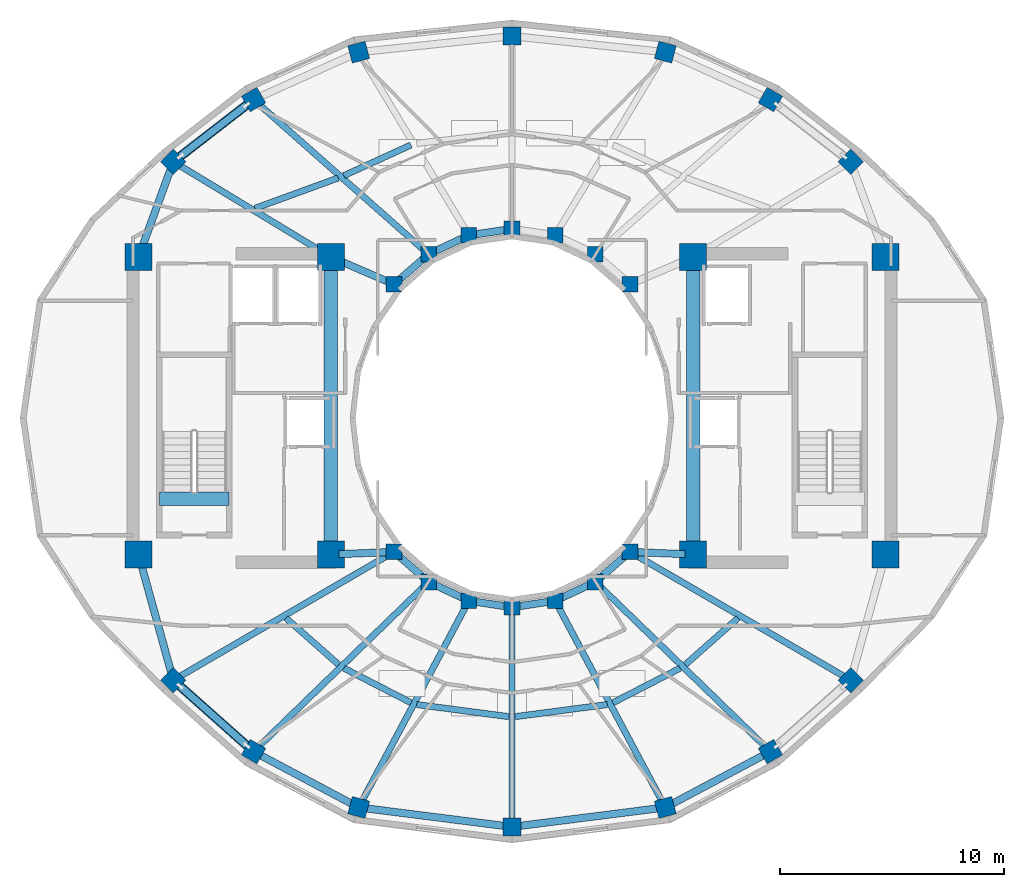
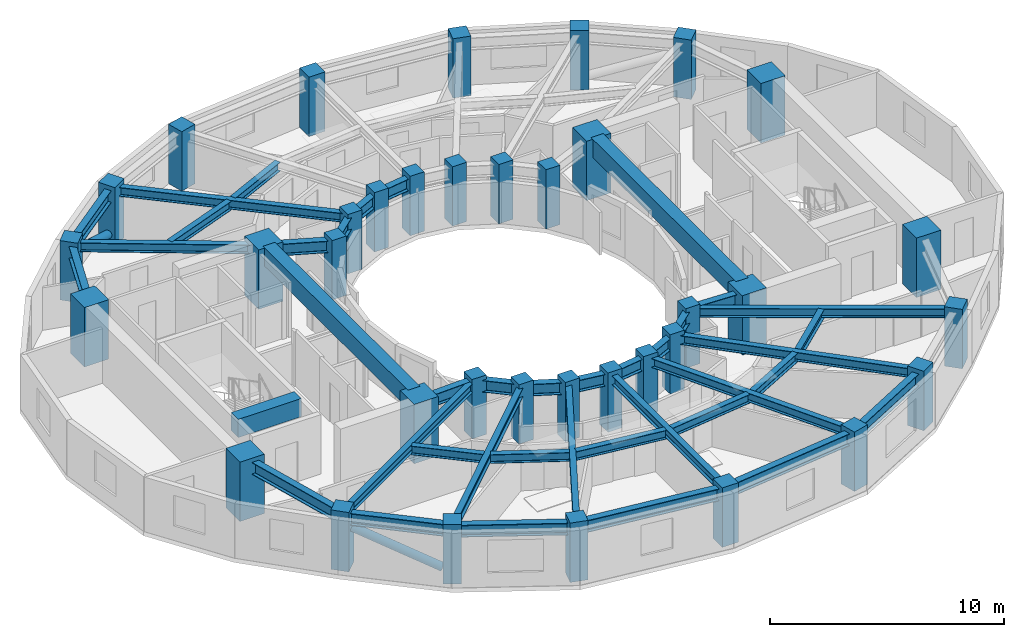
# One storey, part 1 of 9: 40 beams, 36 columns, 2 members.
"""IFC4 building model written with IfcOpenShell, lengths in metres."""

import ifcopenshell
import ifcopenshell.guid

model = None  # the IFC model being written
_history = None  # IfcOwnerHistory: only IFC2X3 demands one
_inside = {}  # id of a spatial element -> (the spatial element, [elements in it])
_under = {}  # id of a project, library or spatial element -> (it, [spatial elements below it])
_declared = {}  # id of a project -> (the project, [libraries it declares])
_typed = {}  # id of a type object -> (the type object, [elements of that type])
_made_of = {}  # id of a material, layer set ... -> (it, [elements and type objects made of it])


def new_model(schema):
    """Start an empty IFC model of exactly this schema.

    Asked for "IFC4X3", IfcOpenShell would pick the latest addendum, in which some entities
    have other attributes; the version numbers below select the first issue.
    IFC2X3 requires an IfcOwnerHistory on every rooted entity: one is made here for all.
    """
    global model, _history
    if schema == "IFC4X3":
        model = ifcopenshell.file(schema_version=(4, 3, 0, 0))
    else:
        model = ifcopenshell.file(schema=schema)
    _inside.clear()
    _under.clear()
    _declared.clear()
    _typed.clear()
    _made_of.clear()
    _history = None
    if model.schema == "IFC2X3":
        org = make("IfcOrganization", Name="unknown")
        user = make(
            "IfcPersonAndOrganization",
            ThePerson=make("IfcPerson", FamilyName="unknown"),
            TheOrganization=org,
        )
        app = make(
            "IfcApplication",
            ApplicationDeveloper=org,
            Version="unknown",
            ApplicationFullName="unknown",
            ApplicationIdentifier="unknown",
        )
        _history = make(
            "IfcOwnerHistory",
            OwningUser=user,
            OwningApplication=app,
            ChangeAction="ADDED",
            CreationDate=0,
        )
    return model


def make(cls, **values):
    """One entity of the class cls with the attributes given. An attribute that is None is left unset."""
    return model.create_entity(
        cls, **{name: value for name, value in values.items() if value is not None}
    )


def rooted(cls, **values):
    """An entity with a GlobalId (a new one), such as an element, a storey or a relation."""
    return make(cls, GlobalId=ifcopenshell.guid.new(), OwnerHistory=_history, **values)


def si_unit(unit_type, name, prefix=None):
    """IfcSIUnit, for example si_unit("LENGTHUNIT", "METRE", prefix="MILLI")."""
    return make("IfcSIUnit", UnitType=unit_type, Prefix=prefix, Name=name)


def assignment(units):
    """IfcUnitAssignment: the units of a project."""
    return None if units is None else make("IfcUnitAssignment", Units=units)


def point(xyz):
    """IfcCartesianPoint."""
    return None if xyz is None else make("IfcCartesianPoint", Coordinates=xyz)


def direction(xyz):
    """IfcDirection."""
    return None if xyz is None else make("IfcDirection", DirectionRatios=xyz)


def frame(location, z_axis=None, x_axis=None):
    """IfcAxis2Placement3D, a coordinate frame: its origin and axes. An axis left out is left unset."""
    return make(
        "IfcAxis2Placement3D",
        Location=point(location),
        Axis=direction(z_axis),
        RefDirection=direction(x_axis),
    )


def frame_2d(location, x_axis=None):
    """IfcAxis2Placement2D, a coordinate frame in the plane: its origin and x axis."""
    return make(
        "IfcAxis2Placement2D", Location=point(location), RefDirection=direction(x_axis)
    )


def origin():
    """The frame at (0, 0, 0) with its axes left unset."""
    return frame((0.0, 0.0, 0.0))


def origin_2d():
    """The frame at (0, 0) in the plane with its x axis left unset."""
    return frame_2d((0.0, 0.0))


def place(relative_to, where):
    """IfcLocalPlacement: puts the frame where relative to a parent placement (None: the world)."""
    return make(
        "IfcLocalPlacement", PlacementRelTo=relative_to, RelativePlacement=where
    )


def context(
    kind, dimensions, precision=None, world=None, true_north=None, identifier=None
):
    """IfcGeometricRepresentationContext, for example the 3D "Model" context."""
    return make(
        "IfcGeometricRepresentationContext",
        ContextIdentifier=identifier,
        ContextType=kind,
        CoordinateSpaceDimension=dimensions,
        Precision=precision,
        WorldCoordinateSystem=world,
        TrueNorth=true_north,
    )


def subcontext(parent, identifier, kind, view, scale=None):
    """IfcGeometricRepresentationSubContext, for example "Body" below "Model"."""
    return make(
        "IfcGeometricRepresentationSubContext",
        ContextIdentifier=identifier,
        ContextType=kind,
        ParentContext=parent,
        TargetScale=scale,
        TargetView=view,
    )


def project(units=None, contexts=None):
    """IfcProject with its units and contexts."""
    return rooted(
        "IfcProject",
        Name="project",
        RepresentationContexts=contexts,
        UnitsInContext=assignment(units),
    )


def spatial(cls, under=None, at=None, **own):
    """A site, building, storey or space (cls), placed at a placement, below another one or the project."""
    s = rooted(cls, ObjectPlacement=at, **own)
    if under is not None:
        _under.setdefault(under.id(), (under, []))[1].append(s)
    return s


def profile(cls, at=None, kind="AREA", **sizes):
    """A parametric profile (cls). Its sizes go by their IFC names, for example OverallWidth=200.0."""
    return make(cls, ProfileType=kind, Position=at, **sizes)


def rectangle(**sizes):
    """IfcRectangleProfileDef."""
    return profile("IfcRectangleProfileDef", **sizes)


def hollow_circle(**sizes):
    """IfcCircleHollowProfileDef."""
    return profile("IfcCircleHollowProfileDef", **sizes)


def i_section(**sizes):
    """IfcIShapeProfileDef."""
    return profile("IfcIShapeProfileDef", **sizes)


def extrude(swept, where, along, depth):
    """IfcExtrudedAreaSolid: the profile swept, set in the frame where, extruded along a direction by depth."""
    return make(
        "IfcExtrudedAreaSolid",
        SweptArea=swept,
        Position=where,
        ExtrudedDirection=direction(along),
        Depth=depth,
    )


def shape(context_of_items, identifier, shape_type, items):
    """IfcShapeRepresentation: the items that make up one representation, for example the "Body"."""
    return make(
        "IfcShapeRepresentation",
        ContextOfItems=context_of_items,
        RepresentationIdentifier=identifier,
        RepresentationType=shape_type,
        Items=items,
    )


def material(Name=None, Category=None):
    """IfcMaterial."""
    return make("IfcMaterial", Name=Name, Category=Category)


def material_profile(
    of_material, cross_section, Name=None, Category=None, Priority=None
):
    """IfcMaterialProfile: a cross section and its material."""
    return make(
        "IfcMaterialProfile",
        Name=Name,
        Material=of_material,
        Profile=cross_section,
        Priority=Priority,
        Category=Category,
    )


def profile_set(profiles, Name=None, composite=None):
    """IfcMaterialProfileSet."""
    return make(
        "IfcMaterialProfileSet",
        Name=Name,
        MaterialProfiles=profiles,
        CompositeProfile=composite,
    )


def made_of(thing, what):
    """Note that an element or type object is made of a material, layer set ...; save() writes the relation."""
    if what is not None:
        _made_of.setdefault(what.id(), (what, []))[1].append(thing)
    return thing


def type_object(cls, material=None, **own):
    """A type object (cls), such as IfcWallType, which elements share."""
    return made_of(rooted(cls, **own), material)


def element(
    cls,
    number,
    at=None,
    inside=None,
    cuts=None,
    type_object=None,
    material=None,
    context=None,
    identifier="Body",
    shape_type=None,
    held_by="IfcProductDefinitionShape",
    body=None,
    shapes=None,
    **own,
):
    """One element of the class cls, such as IfcWall. Its Tag is "e" and its number.

    at: its placement. inside: the storey or other place that contains it. cuts: it is an
    opening in that element (IfcRelVoidsElement). A single representation is given by context,
    identifier, shape_type and body (its items); several are given by shapes. held_by: the class
    of the entity that holds the representations. save() writes the other relations.
    """
    e = rooted(cls, Tag="e%d" % number, ObjectPlacement=at, **own)
    if body is not None:
        shapes = [shape(context, identifier, shape_type, body)]
    if shapes is not None:
        e.Representation = make(held_by, Representations=shapes)
    if inside is not None:
        _inside.setdefault(inside.id(), (inside, []))[1].append(e)
    if cuts is not None:
        rooted(
            "IfcRelVoidsElement", RelatingBuildingElement=cuts, RelatedOpeningElement=e
        )
    if type_object is not None:
        _typed.setdefault(type_object.id(), (type_object, []))[1].append(e)
    return made_of(e, material)


def aggregate(whole, parts):
    """IfcRelAggregates: a whole, such as a stair, and the parts it consists of."""
    return rooted("IfcRelAggregates", RelatingObject=whole, RelatedObjects=parts)


def save(model, path):
    """Write the relations noted so far, then the file.

    IfcRelAggregates (storeys below a building ...), IfcRelContainedInSpatialStructure (elements
    in a storey), IfcRelDefinesByType, IfcRelAssociatesMaterial and IfcRelDeclares: one each for
    every whole, place, type object, material and project.
    """
    for whole, parts in _under.values():
        aggregate(whole, parts)
    for where, things in _inside.values():
        rooted(
            "IfcRelContainedInSpatialStructure",
            RelatedElements=things,
            RelatingStructure=where,
        )
    for kind, things in _typed.values():
        rooted("IfcRelDefinesByType", RelatedObjects=things, RelatingType=kind)
    for what, things in _made_of.values():
        rooted("IfcRelAssociatesMaterial", RelatedObjects=things, RelatingMaterial=what)
    for by, libraries in _declared.values():
        rooted("IfcRelDeclares", RelatingContext=by, RelatedDefinitions=libraries)
    model.write(path)


model = new_model("IFC4")

# Units and contexts
model_context = context("Model", 3, precision=1e-05, world=origin(), true_north=direction((0.0, 1.0)))
body_context = subcontext(model_context, "Body", "Model", "MODEL_VIEW")
ifc_project = project(units=[si_unit("LENGTHUNIT", "METRE"), si_unit("AREAUNIT", "SQUARE_METRE"), si_unit("VOLUMEUNIT", "CUBIC_METRE"), si_unit("PLANEANGLEUNIT", "RADIAN"), si_unit("MASSUNIT", "GRAM", prefix="KILO")], contexts=[model_context])

# Site, building, storey
site_placement = place(None, origin())
site = spatial("IfcSite", under=ifc_project, at=site_placement, CompositionType="ELEMENT")
building_placement = place(site_placement, origin())
building = spatial("IfcBuilding", under=site, at=building_placement, Name="Solvane Sanctuary Tower", CompositionType="ELEMENT")
storey_placement = place(building_placement, frame((0.0, 0.0, 232.60009765625)))
storey = spatial("IfcBuildingStorey", under=building, at=storey_placement, Name="L71", CompositionType="ELEMENT", Elevation=232.60009765625)

# Columns
ifc_material_1 = material(Name="Concrete C50/60", Category="concrete")
ifc_material_profile_1 = material_profile(ifc_material_1, rectangle(XDim=0.699951171875, YDim=0.699951171875, at=origin_2d()), Name="RC700X700")
ifc_profile_set_1 = profile_set([ifc_material_profile_1], Name="Concrete C50/60")
column_type_1 = type_object("IfcColumnType", Name="Column C-RING-Z4 RC700X700", PredefinedType="COLUMN", material=ifc_profile_set_1)
for number, where, z_axis, x_axis, name in (
    (1, (37.27490234375, 28.982177734375, 0.0), (0.0, 0.0, 1.0), (1.0, 0.0, 0.0), "L71 Inner Light-Well Ring Column IC01"),
    (2, (35.72998046875, 30.32666015625, 0.0), (0.0, 0.0, 1.0), (1.0, 0.0, 0.0), "L71 Inner Light-Well Ring Column IC02"),
    (3, (33.930908203125, 31.171630859375, 0.0), (0.0, 0.0, 1.0), (1.0, 0.0, 0.0), "L71 Inner Light-Well Ring Column IC03"),
    (4, (32.0, 31.4599609375, 0.0), (0.0, 0.0, 1.0), (1.0, 0.0, 0.0), "L71 Inner Light-Well Ring Column IC04"),
    (5, (30.069091796875, 31.171630859375, 0.0), (0.0, 0.0, 1.0), (1.0, 0.0, 0.0), "L71 Inner Light-Well Ring Column IC05"),
    (6, (28.27001953125, 30.32666015625, 0.0), (0.0, 0.0, 1.0), (1.0, 0.0, 0.0), "L71 Inner Light-Well Ring Column IC06"),
    (7, (26.72509765625, 28.982177734375, 0.0), (0.0, 0.0, 1.0), (1.0, 0.0, 0.0), "L71 Inner Light-Well Ring Column IC07"),
    (8, (26.72509765625, 17.017822265625, 0.0), (0.0, 0.0, 1.0), (1.0, 0.0, 0.0), "L71 Inner Light-Well Ring Column IC08"),
    (9, (28.27001953125, 15.67333984375, 0.0), (0.0, 0.0, 1.0), (1.0, 0.0, 0.0), "L71 Inner Light-Well Ring Column IC09"),
    (10, (30.069091796875, 14.828369140625, 0.0), (0.0, 0.0, 1.0), (1.0, 0.0, 0.0), "L71 Inner Light-Well Ring Column IC10"),
    (11, (32.0, 14.5400390625, 0.0), (0.0, 0.0, 1.0), (1.0, 0.0, 0.0), "L71 Inner Light-Well Ring Column IC11"),
    (12, (33.930908203125, 14.828369140625, 0.0), (0.0, 0.0, 1.0), (1.0, 0.0, 0.0), "L71 Inner Light-Well Ring Column IC12"),
    (13, (35.72998046875, 15.67333984375, 0.0), (0.0, 0.0, 1.0), (1.0, 0.0, 0.0), "L71 Inner Light-Well Ring Column IC13"),
    (14, (37.27490234375, 17.017822265625, 0.0), (0.0, 0.0, 1.0), (1.0, 0.0, 0.0), "L71 Inner Light-Well Ring Column IC14"),
):
    element("IfcColumn", number, at=place(storey_placement, frame(where, z_axis=z_axis, x_axis=x_axis)), inside=storey, type_object=column_type_1, Name=name, PredefinedType="COLUMN", context=body_context, shape_type="SweptSolid", body=[
        extrude(rectangle(XDim=0.699951171875, YDim=0.699951171875, at=origin_2d()), origin(), (0.0, 0.0, 1.0), 3.099853515625),
    ])
ifc_material_2 = material(Name="Concrete C70/85", Category="concrete")
ifc_material_profile_2 = material_profile(ifc_material_2, rectangle(XDim=1.199951171875, YDim=1.199951171875, at=origin_2d()), Name="RC1200X1200")
ifc_profile_set_2 = profile_set([ifc_material_profile_2], Name="Concrete C70/85")
column_type_2 = type_object("IfcColumnType", Name="Column C-TUBE-Z1 RC1200X1200", PredefinedType="COLUMN", material=ifc_profile_set_2)
for number, where, z_axis, x_axis, name in (
    (15, (15.300048828125, 16.89990234375, 0.0), (0.0, 0.0, 1.0), (1.0, 0.0, 0.0), "L71 Core Corner Column CW1"),
    (16, (23.89990234375, 16.89990234375, 0.0), (0.0, 0.0, 1.0), (1.0, 0.0, 0.0), "L71 Core Corner Column CW2"),
    (17, (23.89990234375, 30.199951171875, 0.0), (0.0, 0.0, 1.0), (1.0, 0.0, 0.0), "L71 Core Corner Column CW3"),
    (18, (15.300048828125, 30.199951171875, 0.0), (0.0, 0.0, 1.0), (1.0, 0.0, 0.0), "L71 Core Corner Column CW4"),
    (19, (40.10009765625, 16.89990234375, 0.0), (0.0, 0.0, 1.0), (1.0, 0.0, 0.0), "L71 Core Corner Column CE1"),
    (20, (48.699951171875, 16.89990234375, 0.0), (0.0, 0.0, 1.0), (1.0, 0.0, 0.0), "L71 Core Corner Column CE2"),
    (21, (48.699951171875, 30.199951171875, 0.0), (0.0, 0.0, 1.0), (1.0, 0.0, 0.0), "L71 Core Corner Column CE3"),
    (22, (40.10009765625, 30.199951171875, 0.0), (0.0, 0.0, 1.0), (1.0, 0.0, 0.0), "L71 Core Corner Column CE4"),
):
    element("IfcColumn", number, at=place(storey_placement, frame(where, z_axis=z_axis, x_axis=x_axis)), inside=storey, type_object=column_type_2, Name=name, PredefinedType="COLUMN", context=body_context, shape_type="SweptSolid", body=[
        extrude(rectangle(XDim=1.199951171875, YDim=1.199951171875, at=origin_2d()), origin(), (0.0, 0.0, 1.0), 3.099853515625),
    ])
ifc_material_profile_3 = material_profile(ifc_material_1, rectangle(XDim=0.800048828125, YDim=0.800048828125, at=origin_2d()), Name="RC800X800")
ifc_profile_set_3 = profile_set([ifc_material_profile_3], Name="Concrete C50/60")
column_type_3 = type_object("IfcColumnType", Name="Column C-TUBE-Z4 RC800X800", PredefinedType="COLUMN", material=ifc_profile_set_3)
for number, where, z_axis, x_axis, name in (
    (23, (47.14501953125, 34.461669921875, 0.0), (0.0, 0.0, 1.0), (0.707106781187, 0.707106781187, 0.0), "L71 Perimeter Tube Column TC01"),
    (24, (43.55517578125, 37.241455078125, 0.0), (0.0, 0.0, 1.0), (0.5, 0.866025403784, 0.0), "L71 Perimeter Tube Column TC02"),
    (25, (38.856201171875, 39.3623046875, 0.0), (0.0, 0.0, 1.0), (0.258819045103, 0.965925826289, 0.0), "L71 Perimeter Tube Column TC03"),
    (26, (32.0, 40.080078125, 0.0), (0.0, 0.0, 1.0), (0.0, 1.0, 0.0), "L71 Perimeter Tube Column TC04"),
    (27, (25.143798828125, 39.3623046875, 0.0), (0.0, 0.0, 1.0), (-0.258819045103, 0.965925826289, 0.0), "L71 Perimeter Tube Column TC05"),
    (28, (20.44482421875, 37.241455078125, 0.0), (0.0, 0.0, 1.0), (-0.5, 0.866025403784, 0.0), "L71 Perimeter Tube Column TC06"),
    (29, (16.85498046875, 34.461669921875, 0.0), (0.0, 0.0, 1.0), (-0.707106781187, 0.707106781187, 0.0), "L71 Perimeter Tube Column TC07"),
    (30, (16.85498046875, 11.279052734375, 0.0), (0.0, 0.0, 1.0), (-0.707106781187, -0.707106781187, 0.0), "L71 Perimeter Tube Column TC08"),
    (31, (20.44482421875, 8.086181640625, 0.0), (0.0, 0.0, 1.0), (-0.5, -0.866025403784, 0.0), "L71 Perimeter Tube Column TC09"),
    (32, (25.143798828125, 5.588623046875, 0.0), (0.0, 0.0, 1.0), (-0.258819045103, -0.965925826289, 0.0), "L71 Perimeter Tube Column TC10"),
    (33, (32.0, 4.719970703125, 0.0), (0.0, 0.0, 1.0), (0.0, -1.0, 0.0), "L71 Perimeter Tube Column TC11"),
    (34, (38.856201171875, 5.588623046875, 0.0), (0.0, 0.0, 1.0), (0.258819045103, -0.965925826289, 0.0), "L71 Perimeter Tube Column TC12"),
    (35, (43.55517578125, 8.086181640625, 0.0), (0.0, 0.0, 1.0), (0.5, -0.866025403784, 0.0), "L71 Perimeter Tube Column TC13"),
    (36, (47.14501953125, 11.279052734375, 0.0), (0.0, 0.0, 1.0), (0.707106781187, -0.707106781187, 0.0), "L71 Perimeter Tube Column TC14"),
):
    element("IfcColumn", number, at=place(storey_placement, frame(where, z_axis=z_axis, x_axis=x_axis)), inside=storey, type_object=column_type_3, Name=name, PredefinedType="COLUMN", context=body_context, shape_type="SweptSolid", body=[
        extrude(rectangle(XDim=0.800048828125, YDim=0.800048828125, at=origin_2d()), origin(), (0.0, 0.0, 1.0), 3.099853515625),
    ])

# Beams
ifc_material_profile_4 = material_profile(ifc_material_2, rectangle(XDim=0.60009765625, YDim=0.949951171875, at=origin_2d()), Name="RC600X950")
ifc_profile_set_4 = profile_set([ifc_material_profile_4], Name="Concrete C70/85")
beam_type_1 = type_object("IfcBeamType", Name="Beam B-COUPLE RC600X950", PredefinedType="LINTEL", material=ifc_profile_set_4)
for number, where, z_axis, x_axis, name in (
    (37, (23.89990234375, 17.35009765625, 2.625), (0.0, 1.0, 0.0), (-1.0, 0.0, 0.0), "L71 West Core Coupling Lintel"),
    (38, (40.10009765625, 17.35009765625, 2.625), (0.0, 1.0, 0.0), (-1.0, 0.0, 0.0), "L71 East Core Coupling Lintel"),
):
    element("IfcBeam", number, at=place(storey_placement, frame(where, z_axis=z_axis, x_axis=x_axis)), inside=storey, type_object=beam_type_1, Name=name, PredefinedType="LINTEL", context=body_context, shape_type="SweptSolid", body=[
        extrude(rectangle(XDim=0.60009765625, YDim=0.949951171875, at=origin_2d()), origin(), (0.0, 0.0, 1.0), 12.39990234375),
    ])
beam_1_placement = place(storey_placement, frame((16.22998046875, 19.399169921875, 2.625), z_axis=(1.0, 0.0, 0.0), x_axis=(0.0, 1.0, 0.0)))
element("IfcBeam", 39, at=beam_1_placement, inside=storey, type_object=beam_type_1, Name="L71 ST-1 Stair Floor Landing Trimmer", PredefinedType="LINTEL", context=body_context, shape_type="SweptSolid", body=[
    extrude(rectangle(XDim=0.60009765625, YDim=0.949951171875, at=origin_2d()), origin(), (0.0, 0.0, 1.0), 3.1201171875),
])
ifc_material_3 = material(Name="Steel ASTM A992 Grade 50", Category="steel")
ifc_material_profile_5 = material_profile(ifc_material_3, i_section(OverallWidth=0.282958984375, OverallDepth=0.471923828125, WebThickness=0.013671875, FlangeThickness=0.022216796875, FilletRadius=0.013916015625, at=origin_2d()), Name="W18X97")
ifc_profile_set_5 = profile_set([ifc_material_profile_5], Name="Steel ASTM A992 Grade 50")
beam_type_2 = type_object("IfcBeamType", Name="Beam B-RAD-Z4 W18X97", PredefinedType="JOIST", material=ifc_profile_set_5)
beam_2_placement = place(storey_placement, frame((28.060302734375, 30.511962890625, 2.641845703125), z_axis=(-0.749352461353, 0.662171343886, 0.0), x_axis=(-0.662171343886, -0.749352461353, 0.0)))
element("IfcBeam", 40, at=beam_2_placement, inside=storey, type_object=beam_type_2, Name="L71 Radial Composite Floor Beam 06", PredefinedType="JOIST", context=body_context, shape_type="SweptSolid", body=[
    extrude(i_section(OverallWidth=0.282958984375, OverallDepth=0.471923828125, WebThickness=0.013671875, FlangeThickness=0.022216796875, FilletRadius=0.013916015625, at=origin_2d()), origin(), (0.0, 0.0, 1.0), 9.882568359375),
])
beam_3_placement = place(storey_placement, frame((23.592041015625, 30.38623046875, 2.641845703125), z_axis=(-0.855612120123, 0.517617522789, 0.0), x_axis=(-0.517617522789, -0.855612120123, 0.0)))
element("IfcBeam", 41, at=beam_3_placement, inside=storey, type_object=beam_type_2, Name="L71 Radial Composite Floor Beam 07", PredefinedType="JOIST", context=body_context, shape_type="SweptSolid", body=[
    extrude(i_section(OverallWidth=0.282958984375, OverallDepth=0.471923828125, WebThickness=0.013671875, FlangeThickness=0.022216796875, FilletRadius=0.013916015625, at=origin_2d()), origin(), (0.0, 0.0, 1.0), 7.59375),
])
beam_4_placement = place(storey_placement, frame((26.48291015625, 16.877197265625, 2.641845703125), z_axis=(-0.864489234729, -0.502651333469, 0.0), x_axis=(0.502651333469, -0.864489234729, 0.0)))
element("IfcBeam", 42, at=beam_4_placement, inside=storey, type_object=beam_type_2, Name="L71 Radial Composite Floor Beam 08", PredefinedType="JOIST", context=body_context, shape_type="SweptSolid", body=[
    extrude(i_section(OverallWidth=0.282958984375, OverallDepth=0.471923828125, WebThickness=0.013671875, FlangeThickness=0.022216796875, FilletRadius=0.013916015625, at=origin_2d()), origin(), (0.0, 0.0, 1.0), 10.85693359375),
])
beam_5_placement = place(storey_placement, frame((28.069091796875, 15.478515625, 2.641845703125), z_axis=(-0.717931503288, -0.69611375262, 0.0), x_axis=(0.69611375262, -0.717931503288, 0.0)))
element("IfcBeam", 43, at=beam_5_placement, inside=storey, type_object=beam_type_2, Name="L71 Radial Composite Floor Beam 09", PredefinedType="JOIST", context=body_context, shape_type="SweptSolid", body=[
    extrude(i_section(OverallWidth=0.282958984375, OverallDepth=0.471923828125, WebThickness=0.013671875, FlangeThickness=0.022216796875, FilletRadius=0.013916015625, at=origin_2d()), origin(), (0.0, 0.0, 1.0), 10.339599609375),
])
beam_6_placement = place(storey_placement, frame((29.9375, 14.581298828125, 2.641845703125), z_axis=(-0.470395154587, -0.882455890422, 0.0), x_axis=(0.882455890422, -0.470395154587, 0.0)))
element("IfcBeam", 44, at=beam_6_placement, inside=storey, type_object=beam_type_2, Name="L71 Radial Composite Floor Beam 10", PredefinedType="JOIST", context=body_context, shape_type="SweptSolid", body=[
    extrude(i_section(OverallWidth=0.282958984375, OverallDepth=0.471923828125, WebThickness=0.013671875, FlangeThickness=0.022216796875, FilletRadius=0.013916015625, at=origin_2d()), origin(), (0.0, 0.0, 1.0), 9.91064453125),
])
beam_7_placement = place(storey_placement, frame((32.0, 14.260009765625, 2.641845703125), z_axis=(0.0, -1.0, 0.0), x_axis=(1.0, 0.0, 0.0)))
element("IfcBeam", 45, at=beam_7_placement, inside=storey, type_object=beam_type_2, Name="L71 Radial Composite Floor Beam 11", PredefinedType="JOIST", context=body_context, shape_type="SweptSolid", body=[
    extrude(i_section(OverallWidth=0.282958984375, OverallDepth=0.471923828125, WebThickness=0.013671875, FlangeThickness=0.022216796875, FilletRadius=0.013916015625, at=origin_2d()), origin(), (0.0, 0.0, 1.0), 9.260009765625),
])
beam_8_placement = place(storey_placement, frame((34.0625, 14.581298828125, 2.641845703125), z_axis=(0.470395154587, -0.882455890422, 0.0), x_axis=(0.882455890422, 0.470395154587, 0.0)))
element("IfcBeam", 46, at=beam_8_placement, inside=storey, type_object=beam_type_2, Name="L71 Radial Composite Floor Beam 12", PredefinedType="JOIST", context=body_context, shape_type="SweptSolid", body=[
    extrude(i_section(OverallWidth=0.282958984375, OverallDepth=0.471923828125, WebThickness=0.013671875, FlangeThickness=0.022216796875, FilletRadius=0.013916015625, at=origin_2d()), origin(), (0.0, 0.0, 1.0), 9.91064453125),
])
beam_9_placement = place(storey_placement, frame((35.930908203125, 15.478515625, 2.641845703125), z_axis=(0.717931503288, -0.69611375262, 0.0), x_axis=(0.69611375262, 0.717931503288, 0.0)))
element("IfcBeam", 47, at=beam_9_placement, inside=storey, type_object=beam_type_2, Name="L71 Radial Composite Floor Beam 13", PredefinedType="JOIST", context=body_context, shape_type="SweptSolid", body=[
    extrude(i_section(OverallWidth=0.282958984375, OverallDepth=0.471923828125, WebThickness=0.013671875, FlangeThickness=0.022216796875, FilletRadius=0.013916015625, at=origin_2d()), origin(), (0.0, 0.0, 1.0), 10.339599609375),
])
beam_10_placement = place(storey_placement, frame((37.51708984375, 16.877197265625, 2.641845703125), z_axis=(0.864489234729, -0.502651333469, 0.0), x_axis=(0.502651333469, 0.864489234729, 0.0)))
element("IfcBeam", 48, at=beam_10_placement, inside=storey, type_object=beam_type_2, Name="L71 Radial Composite Floor Beam 14", PredefinedType="JOIST", context=body_context, shape_type="SweptSolid", body=[
    extrude(i_section(OverallWidth=0.282958984375, OverallDepth=0.471923828125, WebThickness=0.013671875, FlangeThickness=0.022216796875, FilletRadius=0.013916015625, at=origin_2d()), origin(), (0.0, 0.0, 1.0), 10.85693359375),
])
ifc_material_profile_6 = material_profile(ifc_material_3, i_section(OverallWidth=0.324951171875, OverallDepth=0.615966796875, WebThickness=0.013916015625, FlangeThickness=0.021484375, FilletRadius=0.01611328125, at=origin_2d()), Name="W24X117")
ifc_profile_set_6 = profile_set([ifc_material_profile_6], Name="Steel ASTM A992 Grade 50")
beam_type_3 = type_object("IfcBeamType", Name="Beam B-RING-IN2 W24X117", PredefinedType="BEAM", material=ifc_profile_set_6)
beam_11_placement = place(storey_placement, frame((24.230712890625, 30.0576171875, 2.56982421875), z_axis=(0.918283854026, -0.395922673554, 0.0), x_axis=(0.395922673554, 0.918283854026, 0.0)))
element("IfcBeam", 49, at=beam_11_placement, inside=storey, type_object=beam_type_3, Name="L71 Inner Light-Well Ring Beam CW3-IC07", PredefinedType="BEAM", context=body_context, shape_type="SweptSolid", body=[
    extrude(i_section(OverallWidth=0.324951171875, OverallDepth=0.615966796875, WebThickness=0.013916015625, FlangeThickness=0.021484375, FilletRadius=0.01611328125, at=origin_2d()), origin(), (0.0, 0.0, 1.0), 2.396240234375),
])
beam_12_placement = place(storey_placement, frame((26.96630859375, 29.192138671875, 2.56982421875), z_axis=(0.754388985763, 0.656427648839, 0.0), x_axis=(-0.656427648839, 0.754388985763, 0.0)))
element("IfcBeam", 50, at=beam_12_placement, inside=storey, type_object=beam_type_3, Name="L71 Inner Light-Well Ring Beam IC07-IC06", PredefinedType="BEAM", context=body_context, shape_type="SweptSolid", body=[
    extrude(i_section(OverallWidth=0.324951171875, OverallDepth=0.615966796875, WebThickness=0.013916015625, FlangeThickness=0.021484375, FilletRadius=0.01611328125, at=origin_2d()), origin(), (0.0, 0.0, 1.0), 1.408203125),
])
beam_13_placement = place(storey_placement, frame((28.5595703125, 30.462646484375, 2.56982421875), z_axis=(0.905134542189, 0.425125229241, 0.0), x_axis=(-0.425125229241, 0.905134542189, 0.0)))
element("IfcBeam", 51, at=beam_13_placement, inside=storey, type_object=beam_type_3, Name="L71 Inner Light-Well Ring Beam IC06-IC05", PredefinedType="BEAM", context=body_context, shape_type="SweptSolid", body=[
    extrude(i_section(OverallWidth=0.324951171875, OverallDepth=0.615966796875, WebThickness=0.013916015625, FlangeThickness=0.021484375, FilletRadius=0.01611328125, at=origin_2d()), origin(), (0.0, 0.0, 1.0), 1.347900390625),
])
beam_14_placement = place(storey_placement, frame((30.3857421875, 31.218994140625, 2.56982421875), z_axis=(0.989056121481, 0.147539786368, 0.0), x_axis=(-0.147539786368, 0.989056121481, 0.0)))
element("IfcBeam", 52, at=beam_14_placement, inside=storey, type_object=beam_type_3, Name="L71 Inner Light-Well Ring Beam IC05-IC04", PredefinedType="BEAM", context=body_context, shape_type="SweptSolid", body=[
    extrude(i_section(OverallWidth=0.324951171875, OverallDepth=0.615966796875, WebThickness=0.013916015625, FlangeThickness=0.021484375, FilletRadius=0.01611328125, at=origin_2d()), origin(), (0.0, 0.0, 1.0), 1.312255859375),
])
beam_15_placement = place(storey_placement, frame((24.259765625, 16.9150390625, 2.56982421875), z_axis=(0.999129127803, 0.041725124022, 0.0), x_axis=(-0.041725124022, 0.999129127803, 0.0)))
element("IfcBeam", 53, at=beam_15_placement, inside=storey, type_object=beam_type_3, Name="L71 Inner Light-Well Ring Beam CW2-IC08", PredefinedType="BEAM", context=body_context, shape_type="SweptSolid", body=[
    extrude(i_section(OverallWidth=0.324951171875, OverallDepth=0.615966796875, WebThickness=0.013916015625, FlangeThickness=0.021484375, FilletRadius=0.01611328125, at=origin_2d()), origin(), (0.0, 0.0, 1.0), 2.1474609375),
])
beam_16_placement = place(storey_placement, frame((26.96630859375, 16.807861328125, 2.56982421875), z_axis=(0.754388985763, -0.656427648839, 0.0), x_axis=(0.656427648839, 0.754388985763, 0.0)))
element("IfcBeam", 54, at=beam_16_placement, inside=storey, type_object=beam_type_3, Name="L71 Inner Light-Well Ring Beam IC08-IC09", PredefinedType="BEAM", context=body_context, shape_type="SweptSolid", body=[
    extrude(i_section(OverallWidth=0.324951171875, OverallDepth=0.615966796875, WebThickness=0.013916015625, FlangeThickness=0.021484375, FilletRadius=0.01611328125, at=origin_2d()), origin(), (0.0, 0.0, 1.0), 1.408203125),
])
beam_17_placement = place(storey_placement, frame((28.5595703125, 15.537353515625, 2.56982421875), z_axis=(0.905134542189, -0.425125229241, 0.0), x_axis=(0.425125229241, 0.905134542189, 0.0)))
element("IfcBeam", 55, at=beam_17_placement, inside=storey, type_object=beam_type_3, Name="L71 Inner Light-Well Ring Beam IC09-IC10", PredefinedType="BEAM", context=body_context, shape_type="SweptSolid", body=[
    extrude(i_section(OverallWidth=0.324951171875, OverallDepth=0.615966796875, WebThickness=0.013916015625, FlangeThickness=0.021484375, FilletRadius=0.01611328125, at=origin_2d()), origin(), (0.0, 0.0, 1.0), 1.347900390625),
])
for number, where, z_axis, x_axis, name in (
    (56, (30.3857421875, 14.781005859375, 2.56982421875), (0.989056121481, -0.147539786368, 0.0), (0.147539786368, 0.989056121481, 0.0), "L71 Inner Light-Well Ring Beam IC10-IC11"),
    (57, (32.31640625, 14.58740234375, 2.56982421875), (0.989056121481, 0.147539786368, 0.0), (-0.147539786368, 0.989056121481, 0.0), "L71 Inner Light-Well Ring Beam IC11-IC12"),
):
    element("IfcBeam", number, at=place(storey_placement, frame(where, z_axis=z_axis, x_axis=x_axis)), inside=storey, type_object=beam_type_3, Name=name, PredefinedType="BEAM", context=body_context, shape_type="SweptSolid", body=[
        extrude(i_section(OverallWidth=0.324951171875, OverallDepth=0.615966796875, WebThickness=0.013916015625, FlangeThickness=0.021484375, FilletRadius=0.01611328125, at=origin_2d()), origin(), (0.0, 0.0, 1.0), 1.312255859375),
    ])
beam_18_placement = place(storey_placement, frame((34.220458984375, 14.96435546875, 2.56982421875), z_axis=(0.905134542189, 0.425125229241, 0.0), x_axis=(-0.425125229241, 0.905134542189, 0.0)))
element("IfcBeam", 58, at=beam_18_placement, inside=storey, type_object=beam_type_3, Name="L71 Inner Light-Well Ring Beam IC12-IC13", PredefinedType="BEAM", context=body_context, shape_type="SweptSolid", body=[
    extrude(i_section(OverallWidth=0.324951171875, OverallDepth=0.615966796875, WebThickness=0.013916015625, FlangeThickness=0.021484375, FilletRadius=0.01611328125, at=origin_2d()), origin(), (0.0, 0.0, 1.0), 1.347900390625),
])
beam_19_placement = place(storey_placement, frame((35.971435546875, 15.883544921875, 2.56982421875), z_axis=(0.754388985763, 0.656427648839, 0.0), x_axis=(-0.656427648839, 0.754388985763, 0.0)))
element("IfcBeam", 59, at=beam_19_placement, inside=storey, type_object=beam_type_3, Name="L71 Inner Light-Well Ring Beam IC13-IC14", PredefinedType="BEAM", context=body_context, shape_type="SweptSolid", body=[
    extrude(i_section(OverallWidth=0.324951171875, OverallDepth=0.615966796875, WebThickness=0.013916015625, FlangeThickness=0.021484375, FilletRadius=0.01611328125, at=origin_2d()), origin(), (0.0, 0.0, 1.0), 1.408203125),
])
beam_20_placement = place(storey_placement, frame((37.5947265625, 17.004638671875, 2.56982421875), z_axis=(0.999129127803, -0.041725124022, 0.0), x_axis=(0.041725124022, 0.999129127803, 0.0)))
element("IfcBeam", 60, at=beam_20_placement, inside=storey, type_object=beam_type_3, Name="L71 Inner Light-Well Ring Beam IC14-CE1", PredefinedType="BEAM", context=body_context, shape_type="SweptSolid", body=[
    extrude(i_section(OverallWidth=0.324951171875, OverallDepth=0.615966796875, WebThickness=0.013916015625, FlangeThickness=0.021484375, FilletRadius=0.01611328125, at=origin_2d()), origin(), (0.0, 0.0, 1.0), 2.1474609375),
])
ifc_material_profile_7 = material_profile(ifc_material_3, i_section(OverallWidth=0.280029296875, OverallDepth=0.462890625, WebThickness=0.0107421875, FlangeThickness=0.017333984375, FilletRadius=0.013916015625, at=origin_2d()), Name="W18X76")
ifc_profile_set_7 = profile_set([ifc_material_profile_7], Name="Steel ASTM A992 Grade 50")
beam_type_4 = type_object("IfcBeamType", Name="Beam B-SEC-JOIST W18X76", PredefinedType="JOIST", material=ifc_profile_set_7)
beam_21_placement = place(storey_placement, frame((20.505615234375, 32.377685546875, 2.646484375), z_axis=(0.939341257695, 0.342983966962, 0.0), x_axis=(-0.342983966962, 0.939341257695, 0.0)))
element("IfcBeam", 61, at=beam_21_placement, inside=storey, type_object=beam_type_4, Name="L71 Secondary Circumferential Joist 07-06", PredefinedType="JOIST", context=body_context, shape_type="SweptSolid", body=[
    extrude(i_section(OverallWidth=0.280029296875, OverallDepth=0.462890625, WebThickness=0.0107421875, FlangeThickness=0.017333984375, FilletRadius=0.013916015625, at=origin_2d()), origin(), (0.0, 0.0, 1.0), 3.964111328125),
])
beam_22_placement = place(storey_placement, frame((24.481689453125, 33.8408203125, 2.646484375), z_axis=(0.909746959611, 0.415163184156, 0.0), x_axis=(-0.415163184156, 0.909746959611, 0.0)))
element("IfcBeam", 62, at=beam_22_placement, inside=storey, type_object=beam_type_4, Name="L71 Secondary Circumferential Joist 06-05", PredefinedType="JOIST", context=body_context, shape_type="SweptSolid", body=[
    extrude(i_section(OverallWidth=0.280029296875, OverallDepth=0.462890625, WebThickness=0.0107421875, FlangeThickness=0.017333984375, FilletRadius=0.013916015625, at=origin_2d()), origin(), (0.0, 0.0, 1.0), 3.29833984375),
])
beam_23_placement = place(storey_placement, frame((21.892333984375, 14.05810546875, 2.646484375), z_axis=(0.749354102876, -0.662169486236, 0.0), x_axis=(0.662169486236, 0.749354102876, 0.0)))
element("IfcBeam", 63, at=beam_23_placement, inside=storey, type_object=beam_type_4, Name="L71 Secondary Circumferential Joist 08-09", PredefinedType="JOIST", context=body_context, shape_type="SweptSolid", body=[
    extrude(i_section(OverallWidth=0.280029296875, OverallDepth=0.462890625, WebThickness=0.0107421875, FlangeThickness=0.017333984375, FilletRadius=0.013916015625, at=origin_2d()), origin(), (0.0, 0.0, 1.0), 3.153076171875),
])
beam_24_placement = place(storey_placement, frame((24.47900390625, 11.8173828125, 2.646484375), z_axis=(0.88924080122, -0.4574393921, 0.0), x_axis=(0.4574393921, 0.88924080122, 0.0)))
element("IfcBeam", 64, at=beam_24_placement, inside=storey, type_object=beam_type_4, Name="L71 Secondary Circumferential Joist 09-10", PredefinedType="JOIST", context=body_context, shape_type="SweptSolid", body=[
    extrude(i_section(OverallWidth=0.280029296875, OverallDepth=0.462890625, WebThickness=0.0107421875, FlangeThickness=0.017333984375, FilletRadius=0.013916015625, at=origin_2d()), origin(), (0.0, 0.0, 1.0), 3.380615234375),
])
for number, where, z_axis, x_axis, name in (
    (65, (27.74169921875, 10.190673828125, 2.646484375), (0.991439902559, -0.130563852634, 0.0), (0.130563852634, 0.991439902559, 0.0), "L71 Secondary Circumferential Joist 10-11"),
    (66, (32.13525390625, 9.647705078125, 2.646484375), (0.991439902559, 0.130563852634, 0.0), (-0.130563852634, 0.991439902559, 0.0), "L71 Secondary Circumferential Joist 11-12"),
):
    element("IfcBeam", number, at=place(storey_placement, frame(where, z_axis=z_axis, x_axis=x_axis)), inside=storey, type_object=beam_type_4, Name=name, PredefinedType="JOIST", context=body_context, shape_type="SweptSolid", body=[
        extrude(i_section(OverallWidth=0.280029296875, OverallDepth=0.462890625, WebThickness=0.0107421875, FlangeThickness=0.017333984375, FilletRadius=0.013916015625, at=origin_2d()), origin(), (0.0, 0.0, 1.0), 4.15869140625),
    ])
beam_25_placement = place(storey_placement, frame((36.514892578125, 10.27099609375, 2.646484375), z_axis=(0.88924080122, 0.4574393921, 0.0), x_axis=(-0.4574393921, 0.88924080122, 0.0)))
element("IfcBeam", 67, at=beam_25_placement, inside=storey, type_object=beam_type_4, Name="L71 Secondary Circumferential Joist 12-13", PredefinedType="JOIST", context=body_context, shape_type="SweptSolid", body=[
    extrude(i_section(OverallWidth=0.280029296875, OverallDepth=0.462890625, WebThickness=0.0107421875, FlangeThickness=0.017333984375, FilletRadius=0.013916015625, at=origin_2d()), origin(), (0.0, 0.0, 1.0), 3.380615234375),
])
beam_26_placement = place(storey_placement, frame((39.744873046875, 11.97021484375, 2.646484375), z_axis=(0.749354102876, 0.662169486236, 0.0), x_axis=(-0.662169486236, 0.749354102876, 0.0)))
element("IfcBeam", 68, at=beam_26_placement, inside=storey, type_object=beam_type_4, Name="L71 Secondary Circumferential Joist 13-14", PredefinedType="JOIST", context=body_context, shape_type="SweptSolid", body=[
    extrude(i_section(OverallWidth=0.280029296875, OverallDepth=0.462890625, WebThickness=0.0107421875, FlangeThickness=0.017333984375, FilletRadius=0.013916015625, at=origin_2d()), origin(), (0.0, 0.0, 1.0), 3.153076171875),
])
ifc_material_profile_8 = material_profile(ifc_material_3, i_section(OverallWidth=0.327880859375, OverallDepth=0.6279296875, WebThickness=0.0166015625, FlangeThickness=0.027587890625, FilletRadius=0.01611328125, at=origin_2d()), Name="W24X146")
ifc_profile_set_8 = profile_set([ifc_material_profile_8], Name="Steel ASTM A992 Grade 50")
beam_type_5 = type_object("IfcBeamType", Name="Beam B-SPAND-Z3 W24X146", PredefinedType="SPANDREL", material=ifc_profile_set_8)
beam_27_placement = place(storey_placement, frame((15.39599609375, 30.462890625, 2.56396484375), z_axis=(0.34275337431, 0.939425422478, 0.0), x_axis=(-0.939425422478, 0.34275337431, 0.0)))
element("IfcBeam", 69, at=beam_27_placement, inside=storey, type_object=beam_type_5, Name="L71 Perimeter Spandrel Beam CW4-TC07", PredefinedType="SPANDREL", context=body_context, shape_type="SweptSolid", body=[
    extrude(i_section(OverallWidth=0.327880859375, OverallDepth=0.6279296875, WebThickness=0.0166015625, FlangeThickness=0.027587890625, FilletRadius=0.01611328125, at=origin_2d()), origin(), (0.0, 0.0, 1.0), 3.976806640625),
])
beam_28_placement = place(storey_placement, frame((17.076416015625, 34.633056640625, 2.56396484375), z_axis=(0.79064516309, 0.612274632891, 0.0), x_axis=(-0.612274632891, 0.79064516309, 0.0)))
element("IfcBeam", 70, at=beam_28_placement, inside=storey, type_object=beam_type_5, Name="L71 Perimeter Spandrel Beam TC07-TC06", PredefinedType="SPANDREL", context=body_context, shape_type="SweptSolid", body=[
    extrude(i_section(OverallWidth=0.327880859375, OverallDepth=0.6279296875, WebThickness=0.0166015625, FlangeThickness=0.027587890625, FilletRadius=0.01611328125, at=origin_2d()), origin(), (0.0, 0.0, 1.0), 3.980224609375),
])
beam_29_placement = place(storey_placement, frame((15.374755859375, 16.630126953125, 2.56396484375), z_axis=(0.266650123869, -0.963793396658, 0.0), x_axis=(0.963793396658, 0.266650123869, 0.0)))
element("IfcBeam", 71, at=beam_29_placement, inside=storey, type_object=beam_type_5, Name="L71 Perimeter Spandrel Beam CW1-TC08", PredefinedType="SPANDREL", context=body_context, shape_type="SweptSolid", body=[
    extrude(i_section(OverallWidth=0.327880859375, OverallDepth=0.6279296875, WebThickness=0.0166015625, FlangeThickness=0.027587890625, FilletRadius=0.01611328125, at=origin_2d()), origin(), (0.0, 0.0, 1.0), 5.27197265625),
])
beam_30_placement = place(storey_placement, frame((17.064208984375, 11.093017578125, 2.56396484375), z_axis=(0.747199825189, -0.664599444205, 0.0), x_axis=(0.664599444205, 0.747199825189, 0.0)))
element("IfcBeam", 72, at=beam_30_placement, inside=storey, type_object=beam_type_5, Name="L71 Perimeter Spandrel Beam TC08-TC09", PredefinedType="SPANDREL", context=body_context, shape_type="SweptSolid", body=[
    extrude(i_section(OverallWidth=0.327880859375, OverallDepth=0.6279296875, WebThickness=0.0166015625, FlangeThickness=0.027587890625, FilletRadius=0.01611328125, at=origin_2d()), origin(), (0.0, 0.0, 1.0), 4.244384765625),
])
beam_31_placement = place(storey_placement, frame((20.692138671875, 7.954833984375, 2.56396484375), z_axis=(0.883034715026, -0.46930767313, 0.0), x_axis=(0.46930767313, 0.883034715026, 0.0)))
element("IfcBeam", 73, at=beam_31_placement, inside=storey, type_object=beam_type_5, Name="L71 Perimeter Spandrel Beam TC09-TC10", PredefinedType="SPANDREL", context=body_context, shape_type="SweptSolid", body=[
    extrude(i_section(OverallWidth=0.327880859375, OverallDepth=0.6279296875, WebThickness=0.0166015625, FlangeThickness=0.027587890625, FilletRadius=0.01611328125, at=origin_2d()), origin(), (0.0, 0.0, 1.0), 4.761474609375),
])
for number, where, z_axis, x_axis, name in (
    (74, (25.421630859375, 5.553466796875, 2.56396484375), (0.99206770258, -0.125704707538, 0.0), (0.125704707538, 0.99206770258, 0.0), "L71 Perimeter Spandrel Beam TC10-TC11"),
    (75, (32.27783203125, 4.755126953125, 2.56396484375), (0.99206770258, 0.125704707538, 0.0), (-0.125704707538, 0.99206770258, 0.0), "L71 Perimeter Spandrel Beam TC11-TC12"),
):
    element("IfcBeam", number, at=place(storey_placement, frame(where, z_axis=z_axis, x_axis=x_axis)), inside=storey, type_object=beam_type_5, Name=name, PredefinedType="SPANDREL", context=body_context, shape_type="SweptSolid", body=[
        extrude(i_section(OverallWidth=0.327880859375, OverallDepth=0.6279296875, WebThickness=0.0166015625, FlangeThickness=0.027587890625, FilletRadius=0.01611328125, at=origin_2d()), origin(), (0.0, 0.0, 1.0), 6.350830078125),
    ])
beam_32_placement = place(storey_placement, frame((39.103271484375, 5.72021484375, 2.56396484375), z_axis=(0.883034715026, 0.46930767313, 0.0), x_axis=(-0.46930767313, 0.883034715026, 0.0)))
element("IfcBeam", 76, at=beam_32_placement, inside=storey, type_object=beam_type_5, Name="L71 Perimeter Spandrel Beam TC12-TC13", PredefinedType="SPANDREL", context=body_context, shape_type="SweptSolid", body=[
    extrude(i_section(OverallWidth=0.327880859375, OverallDepth=0.6279296875, WebThickness=0.0166015625, FlangeThickness=0.027587890625, FilletRadius=0.01611328125, at=origin_2d()), origin(), (0.0, 0.0, 1.0), 4.761474609375),
])

# Members
ifc_material_profile_9 = material_profile(ifc_material_3, hollow_circle(Radius=0.202880859375, WallThickness=0.012451171875, at=origin_2d()), Name="CHS406X12.5")
ifc_profile_set_9 = profile_set([ifc_material_profile_9], Name="Steel ASTM A992 Grade 50")
member_type = type_object("IfcMemberType", Name="Member M-TUBE-Z3 CHS406X12.5", PredefinedType="BRACE", material=ifc_profile_set_9)
member_1_placement = place(storey_placement, frame((20.118408203125, 36.988525390625, 0.550048828125), z_axis=(-0.731090089768, -0.566107162853, 0.380827993731), x_axis=(0.612242116954, -0.790670342322, 0.0)))
element("IfcMember", 77, at=member_1_placement, inside=storey, type_object=member_type, Name="L71 Perimeter Braced-Tube Diagonal NW", PredefinedType="BRACE", context=body_context, shape_type="SweptSolid", body=[
    extrude(hollow_circle(Radius=0.202880859375, WallThickness=0.012451171875, at=origin_2d()), origin(), (0.0, 0.0, 1.0), 4.017578125),
])
member_2_placement = place(storey_placement, frame((20.1328125, 8.36376953125, 0.54248046875), z_axis=(-0.69629863571, 0.619345335379, 0.362738977025), x_axis=(-0.664611503375, -0.747189098945, 0.0)))
element("IfcMember", 78, at=member_2_placement, inside=storey, type_object=member_type, Name="L71 Perimeter Braced-Tube Diagonal SW", PredefinedType="BRACE", context=body_context, shape_type="SweptSolid", body=[
    extrude(hollow_circle(Radius=0.202880859375, WallThickness=0.012451171875, at=origin_2d()), origin(), (0.0, 0.0, 1.0), 4.26708984375),
])

save(model, "model.ifc")
